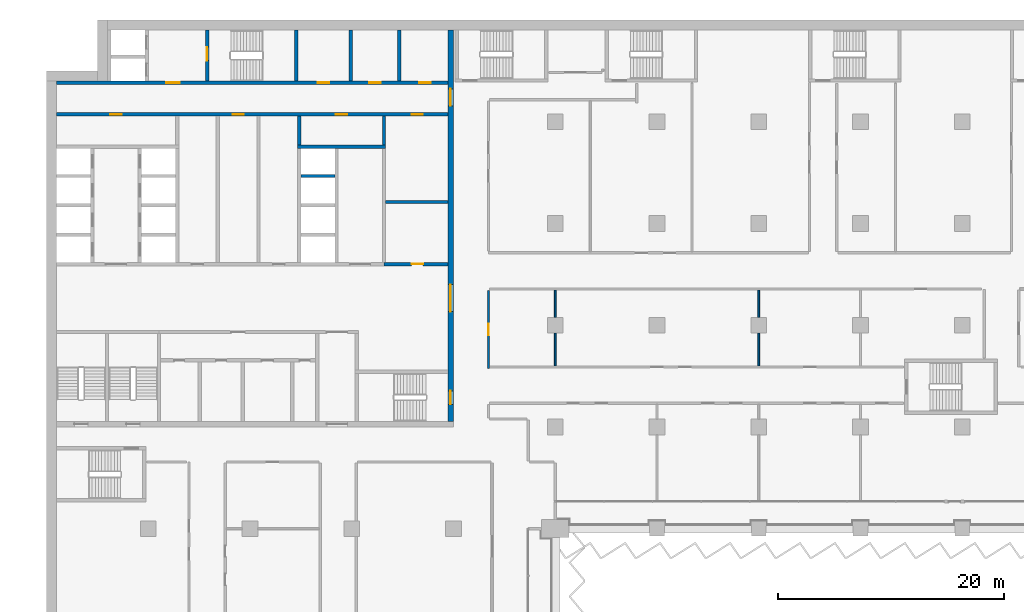
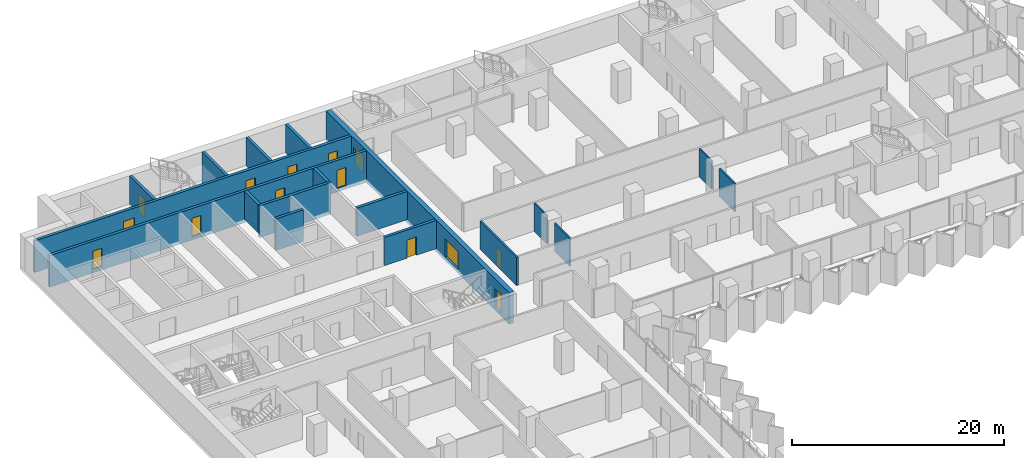
# One storey, part 15 of 28: 18 walls, 14 doors, 14 openings.
"""IFC4 building model written with IfcOpenShell, lengths in metres."""

from ifc_helpers import new_model, si_unit, direction, frame, frame_2d, origin, place, context, subcontext, project, spatial, rectangle, extrude, material, layer, layer_set, type_object, element, fill, save


model = new_model("IFC4")

# Units and contexts
model_context = context("Model", 3, precision=1e-05, world=origin(), true_north=direction((0.0, 1.0)))
body_context = subcontext(model_context, "Body", "Model", "MODEL_VIEW")
ifc_project = project(units=[si_unit("LENGTHUNIT", "METRE"), si_unit("AREAUNIT", "SQUARE_METRE"), si_unit("VOLUMEUNIT", "CUBIC_METRE"), si_unit("PLANEANGLEUNIT", "RADIAN"), si_unit("MASSUNIT", "GRAM", prefix="KILO")], contexts=[model_context])

# Site, building, storey
site_placement = place(None, origin())
site = spatial("IfcSite", under=ifc_project, at=site_placement, CompositionType="ELEMENT")
building_placement = place(site_placement, origin())
building = spatial("IfcBuilding", under=site, at=building_placement, Name="Hunhe Ridgeline Campus", CompositionType="ELEMENT")
storey_placement = place(building_placement, frame((0.0, 0.0, 76.5)))
storey = spatial("IfcBuildingStorey", under=building, at=storey_placement, Name="L18", CompositionType="ELEMENT", Elevation=76.5)

# Wall, opening, door
ifc_material_1 = material(Name="Masonry concrete blockwork", Category="masonry")
ifc_layer_1 = layer(ifc_material_1, 0.300048828125)
ifc_layer_set_1 = layer_set([ifc_layer_1], Name="Core room partition 300 concrete block")
wall_type_1 = type_object("IfcWallType", Name="Core room partition 300 concrete block", PredefinedType="PARTITIONING", material=ifc_layer_set_1)
wall_1_placement = place(storey_placement, frame((29.85009765625, 77.39990234375, 0.0), z_axis=(0.0, 0.0, 1.0), x_axis=(1.0, 0.0, 0.0)))
wall_1 = element("IfcWall", 1, at=wall_1_placement, inside=storey, type_object=wall_type_1, Name="L18 core partition 15", PredefinedType="PARTITIONING", context=body_context, shape_type="SweptSolid", body=[
    extrude(rectangle(XDim=5.64990234375, YDim=0.300048828125, at=frame_2d((2.824951171875, 0.0))), origin(), (0.0, 0.0, 1.0), 3.25),
])
opening_1_placement = place(wall_1_placement, frame((2.449951171875, 0.0, 0.0)))
opening_1 = element("IfcOpeningElement", 2, at=opening_1_placement, cuts=wall_1, Name="Opening CD32", PredefinedType="OPENING", context=body_context, shape_type="SweptSolid", body=[
    extrude(rectangle(XDim=1.0, YDim=2.10009765625, at=frame_2d((0.5, 1.050048828125))), frame((0.0, 0.14990234375, 0.0), z_axis=(0.0, -1.0, 0.0), x_axis=(1.0, 0.0, 0.0)), (0.0, 0.0, 1.0), 0.300048828125),
])
ifc_material_2 = material(Name="Solid core timber door leaf", Category="wood")
door_type_1 = type_object("IfcDoorType", Name="Timber door 1000x2100", OperationType="SINGLE_SWING_LEFT", PredefinedType="DOOR", material=ifc_material_2)
door_1_placement = place(opening_1_placement, origin())
door_1 = element("IfcDoor", 3, at=door_1_placement, inside=storey, type_object=door_type_1, Name="L18 door ES0", OperationType="SINGLE_SWING_LEFT", OverallHeight=2.10009765625, OverallWidth=1.0, PredefinedType="DOOR", context=body_context, shape_type="SweptSolid", body=[
    extrude(rectangle(XDim=1.0, YDim=2.10009765625, at=frame_2d((0.5, 1.050048828125))), frame((0.0, 0.02490234375, 0.0), z_axis=(0.0, -1.0, 0.0), x_axis=(1.0, 0.0, 0.0)), (0.0, 0.0, 1.0), 0.050048828125),
])
fill(opening_1, door_1)

# Walls
wall_2_placement = place(storey_placement, frame((30.0, 82.89990234375, 0.0), z_axis=(0.0, 0.0, 1.0), x_axis=(1.0, 0.0, 0.0)))
element("IfcWall", 4, at=wall_2_placement, inside=storey, type_object=wall_type_1, Name="L18 core partition 22", PredefinedType="PARTITIONING", context=body_context, shape_type="SweptSolid", body=[
    extrude(rectangle(XDim=5.5, YDim=0.300048828125, at=frame_2d((2.75, 0.0))), origin(), (0.0, 0.0, 1.0), 3.25),
])
wall_3_placement = place(storey_placement, frame((22.35009765625, 87.949951171875, 0.0), z_axis=(0.0, 0.0, 1.0), x_axis=(0.0, 1.0, 0.0)))
element("IfcWall", 5, at=wall_3_placement, inside=storey, type_object=wall_type_1, Name="L18 core partition 54", PredefinedType="PARTITIONING", context=body_context, shape_type="SweptSolid", body=[
    extrude(rectangle(XDim=2.550048828125, YDim=0.300048828125, at=frame_2d((1.27490234375, 0.0))), origin(), (0.0, 0.0, 1.0), 3.25),
])
wall_4_placement = place(storey_placement, frame((26.89990234375, 93.60009765625, 0.0), z_axis=(0.0, 0.0, 1.0), x_axis=(0.0, 1.0, 0.0)))
element("IfcWall", 6, at=wall_4_placement, inside=storey, type_object=wall_type_1, Name="L18 core partition 58", PredefinedType="PARTITIONING", context=body_context, shape_type="SweptSolid", body=[
    extrude(rectangle(XDim=4.5, YDim=0.300048828125, at=frame_2d((2.25, 0.0))), origin(), (0.0, 0.0, 1.0), 3.25),
])
wall_5_placement = place(storey_placement, frame((29.85009765625, 87.949951171875, 0.0), z_axis=(0.0, 0.0, 1.0), x_axis=(0.0, 1.0, 0.0)))
element("IfcWall", 7, at=wall_5_placement, inside=storey, type_object=wall_type_1, Name="L18 core partition 62", PredefinedType="PARTITIONING", context=body_context, shape_type="SweptSolid", body=[
    extrude(rectangle(XDim=2.550048828125, YDim=0.300048828125, at=frame_2d((1.27490234375, 0.0))), origin(), (0.0, 0.0, 1.0), 3.25),
])
wall_6_placement = place(storey_placement, frame((31.199951171875, 93.60009765625, 0.0), z_axis=(0.0, 0.0, 1.0), x_axis=(0.0, 1.0, 0.0)))
element("IfcWall", 8, at=wall_6_placement, inside=storey, type_object=wall_type_1, Name="L18 core partition 63", PredefinedType="PARTITIONING", context=body_context, shape_type="SweptSolid", body=[
    extrude(rectangle(XDim=4.5, YDim=0.300048828125, at=frame_2d((2.25, 0.0))), origin(), (0.0, 0.0, 1.0), 3.25),
])

# Wall, openings, doors
ifc_material_3 = material(Name="Concrete C80", Category="concrete")
ifc_layer_2 = layer(ifc_material_3, 0.5)
ifc_layer_set_2 = layer_set([ifc_layer_2], Name="Core wall 500 reinforced concrete C80")
wall_type_2 = type_object("IfcWallType", Name="Core wall 500 reinforced concrete C80", PredefinedType="SOLIDWALL", material=ifc_layer_set_2)
wall_7_placement = place(storey_placement, frame((35.75, 63.5, -0.39990234375), z_axis=(0.0, 0.0, 1.0), x_axis=(0.0, 1.0, 0.0)))
wall_7 = element("IfcWall", 9, at=wall_7_placement, inside=storey, type_object=wall_type_2, Name="L18 core wall 64", PredefinedType="SOLIDWALL", context=body_context, shape_type="SweptSolid", body=[
    extrude(rectangle(XDim=34.60009765625, YDim=0.5, at=frame_2d((17.300048828125, 0.0))), origin(), (0.0, 0.0, 1.0), 3.64990234375),
])
opening_2_placement = place(wall_7_placement, frame((9.699951171875, 0.0, 0.39990234375)))
opening_2 = element("IfcOpeningElement", 10, at=opening_2_placement, cuts=wall_7, Name="Opening CD4", PredefinedType="OPENING", context=body_context, shape_type="SweptSolid", body=[
    extrude(rectangle(XDim=2.39990234375, YDim=2.10009765625, at=frame_2d((1.199951171875, 1.050048828125))), frame((0.0, 0.25, 0.0), z_axis=(0.0, -1.0, 0.0), x_axis=(1.0, 0.0, 0.0)), (0.0, 0.0, 1.0), 0.5),
])
opening_3_placement = place(wall_7_placement, frame((27.89990234375, 0.0, 0.39990234375)))
opening_3 = element("IfcOpeningElement", 11, at=opening_3_placement, cuts=wall_7, Name="Opening CD5", PredefinedType="OPENING", context=body_context, shape_type="SweptSolid", body=[
    extrude(rectangle(XDim=1.5, YDim=2.10009765625, at=frame_2d((0.75, 1.050048828125))), frame((0.0, 0.25, 0.0), z_axis=(0.0, -1.0, 0.0), x_axis=(1.0, 0.0, 0.0)), (0.0, 0.0, 1.0), 0.5),
])
opening_4_placement = place(wall_7_placement, frame((1.5, 0.0, 0.39990234375)))
opening_4 = element("IfcOpeningElement", 12, at=opening_4_placement, cuts=wall_7, Name="Opening CD15", PredefinedType="OPENING", context=body_context, shape_type="SweptSolid", body=[
    extrude(rectangle(XDim=1.199951171875, YDim=2.10009765625, at=frame_2d((0.60009765625, 1.050048828125))), frame((0.0, 0.25, 0.0), z_axis=(0.0, -1.0, 0.0), x_axis=(1.0, 0.0, 0.0)), (0.0, 0.0, 1.0), 0.5),
])
ifc_material_4 = material(Name="Anodised aluminium and glass", Category="aluminium")
door_type_2 = type_object("IfcDoorType", Name="Glazed double door 2400x2100", OperationType="DOUBLE_DOOR_SINGLE_SWING", PredefinedType="DOOR", material=ifc_material_4)
door_2_placement = place(opening_2_placement, frame((2.39990234375, 0.0, 0.0), z_axis=(0.0, 0.0, 1.0), x_axis=(-1.0, 0.0, 0.0)))
door_2 = element("IfcDoor", 13, at=door_2_placement, inside=storey, type_object=door_type_2, Name="L18 door HALL-FLOOR", OperationType="DOUBLE_DOOR_SINGLE_SWING", OverallHeight=2.10009765625, OverallWidth=2.39990234375, PredefinedType="DOOR", context=body_context, shape_type="SweptSolid", body=[
    extrude(rectangle(XDim=2.39990234375, YDim=2.10009765625, at=frame_2d((1.199951171875, 1.050048828125))), frame((0.0, 0.02490234375, 0.0), z_axis=(0.0, -1.0, 0.0), x_axis=(1.0, 0.0, 0.0)), (0.0, 0.0, 1.0), 0.050048828125),
])
fill(opening_2, door_2)
ifc_material_5 = material(Name="Hollow metal fire door leaf")
door_type_3 = type_object("IfcDoorType", Name="Stair door 1200x2100 FD60", OperationType="SINGLE_SWING_LEFT", PredefinedType="DOOR", material=ifc_material_5)
door_3_placement = place(opening_4_placement, frame((1.199951171875, 0.0, 0.0), z_axis=(0.0, 0.0, 1.0), x_axis=(-1.0, 0.0, 0.0)))
door_3 = element("IfcDoor", 14, at=door_3_placement, inside=storey, type_object=door_type_3, Name="L18 door S2-FLOOR", OperationType="SINGLE_SWING_RIGHT", OverallHeight=2.10009765625, OverallWidth=1.199951171875, PredefinedType="DOOR", context=body_context, shape_type="SweptSolid", body=[
    extrude(rectangle(XDim=1.199951171875, YDim=2.10009765625, at=frame_2d((0.60009765625, 1.050048828125))), frame((0.0, 0.02490234375, 0.0), z_axis=(0.0, -1.0, 0.0), x_axis=(1.0, 0.0, 0.0)), (0.0, 0.0, 1.0), 0.050048828125),
])
fill(opening_4, door_3)
door_type_4 = type_object("IfcDoorType", Name="Timber door 1500x2100", OperationType="SINGLE_SWING_LEFT", PredefinedType="DOOR", material=ifc_material_2)
door_4_placement = place(opening_3_placement, frame((1.5, 0.0, 0.0), z_axis=(0.0, 0.0, 1.0), x_axis=(-1.0, 0.0, 0.0)))
door_4 = element("IfcDoor", 15, at=door_4_placement, inside=storey, type_object=door_type_4, Name="L18 door C1-FLOOR", OperationType="SINGLE_SWING_RIGHT", OverallHeight=2.10009765625, OverallWidth=1.5, PredefinedType="DOOR", context=body_context, shape_type="SweptSolid", body=[
    extrude(rectangle(XDim=1.5, YDim=2.10009765625, at=frame_2d((0.75, 1.050048828125))), frame((0.0, 0.02490234375, 0.0), z_axis=(0.0, -1.0, 0.0), x_axis=(1.0, 0.0, 0.0)), (0.0, 0.0, 1.0), 0.050048828125),
])
fill(opening_3, door_4)

# Wall, opening, door
ifc_material_6 = material(Name="Gypsum board partition")
ifc_layer_3 = layer(ifc_material_6, 0.199951171875)
ifc_layer_set_3 = layer_set([ifc_layer_3], Name="Corridor partition 200 gypsum board on steel studs")
wall_type_3 = type_object("IfcWallType", Name="Corridor partition 200 gypsum board on steel studs", PredefinedType="PARTITIONING", material=ifc_layer_set_3)
wall_8_placement = place(storey_placement, frame((39.10009765625, 75.08349609375, 0.0), z_axis=(0.0, 0.0, 1.0), x_axis=(0.0, -1.0, 0.0)))
wall_8 = element("IfcWall", 16, at=wall_8_placement, inside=storey, type_object=wall_type_3, Name="F-L18-wall-061", PredefinedType="PARTITIONING", context=body_context, shape_type="SweptSolid", body=[
    extrude(rectangle(XDim=6.92919921875, YDim=0.199951171875, at=frame_2d((3.464599609375, 0.0))), origin(), (0.0, 0.0, 1.0), 3.25),
])
opening_5_placement = place(wall_8_placement, frame((2.964599609375, 0.0, 0.0)))
opening_5 = element("IfcOpeningElement", 17, at=opening_5_placement, cuts=wall_8, Name="Opening RD1-032", PredefinedType="OPENING", context=body_context, shape_type="SweptSolid", body=[
    extrude(rectangle(XDim=1.0, YDim=2.10009765625, at=frame_2d((0.5, 1.050048828125))), frame((0.0, 0.10009765625, 0.0), z_axis=(0.0, -1.0, 0.0), x_axis=(1.0, 0.0, 0.0)), (0.0, 0.0, 1.0), 0.199951171875),
])
ifc_material_7 = material(Name="Timber door leaf", Category="wood")
door_type_5 = type_object("IfcDoorType", Name="Single fire door 1000x2100 timber FD60", OperationType="NOTDEFINED", PredefinedType="DOOR", material=ifc_material_7)
door_5_placement = place(opening_5_placement, origin())
door_5 = element("IfcDoor", 18, at=door_5_placement, inside=storey, type_object=door_type_5, Name="F-L18-door-032", OperationType="SINGLE_SWING_RIGHT", OverallHeight=2.10009765625, OverallWidth=1.0, PredefinedType="DOOR", context=body_context, shape_type="SweptSolid", body=[
    extrude(rectangle(XDim=1.0, YDim=2.10009765625, at=frame_2d((0.5, 1.050048828125))), frame((0.0, 0.02490234375, 0.0), z_axis=(0.0, -1.0, 0.0), x_axis=(1.0, 0.0, 0.0)), (0.0, 0.0, 1.0), 0.050048828125),
])
fill(opening_5, door_5)

# Wall, openings, doors
ifc_layer_4 = layer(ifc_material_3, 0.300048828125)
ifc_layer_set_4 = layer_set([ifc_layer_4], Name="Lobby wall 300 reinforced concrete C80")
wall_type_4 = type_object("IfcWallType", Name="Lobby wall 300 reinforced concrete C80", PredefinedType="SOLIDWALL", material=ifc_layer_set_4)
wall_9_placement = place(storey_placement, frame((0.89990234375, 90.64990234375, -0.39990234375), z_axis=(0.0, 0.0, 1.0), x_axis=(1.0, 0.0, 0.0)))
wall_9 = element("IfcWall", 19, at=wall_9_placement, inside=storey, type_object=wall_type_4, Name="L18 core wall 28", PredefinedType="SOLIDWALL", context=body_context, shape_type="SweptSolid", body=[
    extrude(rectangle(XDim=34.60009765625, YDim=0.300048828125, at=frame_2d((17.300048828125, 0.0))), origin(), (0.0, 0.0, 1.0), 3.64990234375),
])
opening_6_placement = place(wall_9_placement, frame((4.75, 0.0, 0.39990234375)))
opening_6 = element("IfcOpeningElement", 20, at=opening_6_placement, cuts=wall_9, Name="Opening CD26", PredefinedType="OPENING", context=body_context, shape_type="SweptSolid", body=[
    extrude(rectangle(XDim=1.0, YDim=2.10009765625, at=frame_2d((0.5, 1.050048828125))), frame((0.0, 0.14990234375, 0.0), z_axis=(0.0, -1.0, 0.0), x_axis=(1.0, 0.0, 0.0)), (0.0, 0.0, 1.0), 0.300048828125),
])
opening_7_placement = place(wall_9_placement, frame((24.699951171875, 0.0, 0.39990234375)))
opening_7 = element("IfcOpeningElement", 21, at=opening_7_placement, cuts=wall_9, Name="Opening CD27", PredefinedType="OPENING", context=body_context, shape_type="SweptSolid", body=[
    extrude(rectangle(XDim=1.0, YDim=2.10009765625, at=frame_2d((0.5, 1.050048828125))), frame((0.0, 0.14990234375, 0.0), z_axis=(0.0, -1.0, 0.0), x_axis=(1.0, 0.0, 0.0)), (0.0, 0.0, 1.0), 0.300048828125),
])
opening_8_placement = place(wall_9_placement, frame((15.550048828125, 0.0, 0.39990234375)))
opening_8 = element("IfcOpeningElement", 22, at=opening_8_placement, cuts=wall_9, Name="Opening CD29", PredefinedType="OPENING", context=body_context, shape_type="SweptSolid", body=[
    extrude(rectangle(XDim=1.0, YDim=2.10009765625, at=frame_2d((0.5, 1.050048828125))), frame((0.0, 0.14990234375, 0.0), z_axis=(0.0, -1.0, 0.0), x_axis=(1.0, 0.0, 0.0)), (0.0, 0.0, 1.0), 0.300048828125),
])
opening_9_placement = place(wall_9_placement, frame((31.39990234375, 0.0, 0.39990234375)))
opening_9 = element("IfcOpeningElement", 23, at=opening_9_placement, cuts=wall_9, Name="Opening CD33", PredefinedType="OPENING", context=body_context, shape_type="SweptSolid", body=[
    extrude(rectangle(XDim=1.0, YDim=2.10009765625, at=frame_2d((0.5, 1.050048828125))), frame((0.0, 0.14990234375, 0.0), z_axis=(0.0, -1.0, 0.0), x_axis=(1.0, 0.0, 0.0)), (0.0, 0.0, 1.0), 0.300048828125),
])
door_6_placement = place(opening_6_placement, frame((1.0, 0.0, 0.0), z_axis=(0.0, 0.0, 1.0), x_axis=(-1.0, 0.0, 0.0)))
door_6 = element("IfcDoor", 24, at=door_6_placement, inside=storey, type_object=door_type_1, Name="L18 door NR-0", OperationType="SINGLE_SWING_RIGHT", OverallHeight=2.10009765625, OverallWidth=1.0, PredefinedType="DOOR", context=body_context, shape_type="SweptSolid", body=[
    extrude(rectangle(XDim=1.0, YDim=2.10009765625, at=frame_2d((0.5, 1.050048828125))), frame((0.0, 0.02490234375, 0.0), z_axis=(0.0, -1.0, 0.0), x_axis=(1.0, 0.0, 0.0)), (0.0, 0.0, 1.0), 0.050048828125),
])
fill(opening_6, door_6)
door_7_placement = place(opening_7_placement, frame((1.0, 0.0, 0.0), z_axis=(0.0, 0.0, 1.0), x_axis=(-1.0, 0.0, 0.0)))
door_7 = element("IfcDoor", 25, at=door_7_placement, inside=storey, type_object=door_type_1, Name="L18 door NR-1", OperationType="SINGLE_SWING_LEFT", OverallHeight=2.10009765625, OverallWidth=1.0, PredefinedType="DOOR", context=body_context, shape_type="SweptSolid", body=[
    extrude(rectangle(XDim=1.0, YDim=2.10009765625, at=frame_2d((0.5, 1.050048828125))), frame((0.0, 0.02490234375, 0.0), z_axis=(0.0, -1.0, 0.0), x_axis=(1.0, 0.0, 0.0)), (0.0, 0.0, 1.0), 0.050048828125),
])
fill(opening_7, door_7)
door_8_placement = place(opening_8_placement, frame((1.0, 0.0, 0.0), z_axis=(0.0, 0.0, 1.0), x_axis=(-1.0, 0.0, 0.0)))
door_8 = element("IfcDoor", 26, at=door_8_placement, inside=storey, type_object=door_type_1, Name="L18 door VD-HR1", OperationType="SINGLE_SWING_LEFT", OverallHeight=2.10009765625, OverallWidth=1.0, PredefinedType="DOOR", context=body_context, shape_type="SweptSolid", body=[
    extrude(rectangle(XDim=1.0, YDim=2.10009765625, at=frame_2d((0.5, 1.050048828125))), frame((0.0, 0.02490234375, 0.0), z_axis=(0.0, -1.0, 0.0), x_axis=(1.0, 0.0, 0.0)), (0.0, 0.0, 1.0), 0.050048828125),
])
fill(opening_8, door_8)
door_9_placement = place(opening_9_placement, frame((1.0, 0.0, 0.0), z_axis=(0.0, 0.0, 1.0), x_axis=(-1.0, 0.0, 0.0)))
door_9 = element("IfcDoor", 27, at=door_9_placement, inside=storey, type_object=door_type_1, Name="L18 door ES1", OperationType="SINGLE_SWING_LEFT", OverallHeight=2.10009765625, OverallWidth=1.0, PredefinedType="DOOR", context=body_context, shape_type="SweptSolid", body=[
    extrude(rectangle(XDim=1.0, YDim=2.10009765625, at=frame_2d((0.5, 1.050048828125))), frame((0.0, 0.02490234375, 0.0), z_axis=(0.0, -1.0, 0.0), x_axis=(1.0, 0.0, 0.0)), (0.0, 0.0, 1.0), 0.050048828125),
])
fill(opening_9, door_9)

# Walls
ifc_layer_5 = layer(ifc_material_6, 0.14990234375)
ifc_layer_set_5 = layer_set([ifc_layer_5], Name="Room partition 150 gypsum board on steel studs")
wall_type_5 = type_object("IfcWallType", Name="Room partition 150 gypsum board on steel studs", PredefinedType="PARTITIONING", material=ifc_layer_set_5)
wall_10_placement = place(storey_placement, frame((45.0, 71.300048828125, 0.0), z_axis=(0.0, 0.0, 1.0), x_axis=(0.0, -1.0, 0.0)))
element("IfcWall", 28, at=wall_10_placement, inside=storey, type_object=wall_type_5, Name="F-L18-wall-066", PredefinedType="PARTITIONING", context=body_context, shape_type="SweptSolid", body=[
    extrude(rectangle(XDim=2.900146484375, YDim=0.14990234375, at=frame_2d((1.4501953125, 0.0))), origin(), (0.0, 0.0, 1.0), 3.25),
])
wall_11_placement = place(storey_placement, frame((45.0, 75.10009765625, 0.0), z_axis=(0.0, 0.0, 1.0), x_axis=(0.0, -1.0, 0.0)))
element("IfcWall", 29, at=wall_11_placement, inside=storey, type_object=wall_type_5, Name="F-L18-wall-067", PredefinedType="PARTITIONING", context=body_context, shape_type="SweptSolid", body=[
    extrude(rectangle(XDim=2.400146484375, YDim=0.14990234375, at=frame_2d((1.2001953125, 0.0))), origin(), (0.0, 0.0, 1.0), 3.25),
])
wall_12_placement = place(storey_placement, frame((63.0, 71.300048828125, 0.0), z_axis=(0.0, 0.0, 1.0), x_axis=(0.0, -1.0, 0.0)))
element("IfcWall", 30, at=wall_12_placement, inside=storey, type_object=wall_type_5, Name="F-L18-wall-076", PredefinedType="PARTITIONING", context=body_context, shape_type="SweptSolid", body=[
    extrude(rectangle(XDim=2.900146484375, YDim=0.14990234375, at=frame_2d((1.4501953125, 0.0))), origin(), (0.0, 0.0, 1.0), 3.25),
])
wall_13_placement = place(storey_placement, frame((63.0, 75.10009765625, 0.0), z_axis=(0.0, 0.0, 1.0), x_axis=(0.0, -1.0, 0.0)))
element("IfcWall", 31, at=wall_13_placement, inside=storey, type_object=wall_type_5, Name="F-L18-wall-077", PredefinedType="PARTITIONING", context=body_context, shape_type="SweptSolid", body=[
    extrude(rectangle(XDim=2.400146484375, YDim=0.14990234375, at=frame_2d((1.2001953125, 0.0))), origin(), (0.0, 0.0, 1.0), 3.25),
])
ifc_layer_6 = layer(ifc_material_3, 0.300048828125)
ifc_layer_set_6 = layer_set([ifc_layer_6], Name="Shaft wall 300 reinforced concrete C80")
wall_type_6 = type_object("IfcWallType", Name="Shaft wall 300 reinforced concrete C80", PredefinedType="SOLIDWALL", material=ifc_layer_set_6)
wall_14_placement = place(storey_placement, frame((22.5, 85.199951171875, -0.39990234375), z_axis=(0.0, 0.0, 1.0), x_axis=(1.0, 0.0, 0.0)))
element("IfcWall", 32, at=wall_14_placement, inside=storey, type_object=wall_type_6, Name="L18 core wall 25", PredefinedType="SOLIDWALL", context=body_context, shape_type="SweptSolid", body=[
    extrude(rectangle(XDim=3.0, YDim=0.300048828125, at=frame_2d((1.5, 0.0))), origin(), (0.0, 0.0, 1.0), 3.64990234375),
])
wall_15_placement = place(storey_placement, frame((22.199951171875, 87.800048828125, -0.39990234375), z_axis=(0.0, 0.0, 1.0), x_axis=(1.0, 0.0, 0.0)))
element("IfcWall", 33, at=wall_15_placement, inside=storey, type_object=wall_type_6, Name="L18 core wall 27", PredefinedType="SOLIDWALL", context=body_context, shape_type="SweptSolid", body=[
    extrude(rectangle(XDim=7.800048828125, YDim=0.300048828125, at=frame_2d((3.89990234375, 0.0))), origin(), (0.0, 0.0, 1.0), 3.64990234375),
])

# Wall, openings, doors
wall_16_placement = place(storey_placement, frame((0.89990234375, 93.449951171875, -0.39990234375), z_axis=(0.0, 0.0, 1.0), x_axis=(1.0, 0.0, 0.0)))
wall_16 = element("IfcWall", 34, at=wall_16_placement, inside=storey, type_object=wall_type_6, Name="L18 core wall 29", PredefinedType="SOLIDWALL", context=body_context, shape_type="SweptSolid", body=[
    extrude(rectangle(XDim=34.60009765625, YDim=0.300048828125, at=frame_2d((17.300048828125, 0.0))), origin(), (0.0, 0.0, 1.0), 3.64990234375),
])
opening_10_placement = place(wall_16_placement, frame((9.699951171875, 0.0, 0.39990234375)))
opening_10 = element("IfcOpeningElement", 35, at=opening_10_placement, cuts=wall_16, Name="Opening CD3", PredefinedType="OPENING", context=body_context, shape_type="SweptSolid", body=[
    extrude(rectangle(XDim=1.199951171875, YDim=2.10009765625, at=frame_2d((0.60009765625, 1.050048828125))), frame((0.0, 0.14990234375, 0.0), z_axis=(0.0, -1.0, 0.0), x_axis=(1.0, 0.0, 0.0)), (0.0, 0.0, 1.0), 0.300048828125),
])
opening_11_placement = place(wall_16_placement, frame((23.10009765625, 0.0, 0.39990234375)))
opening_11 = element("IfcOpeningElement", 36, at=opening_11_placement, cuts=wall_16, Name="Opening CD34", PredefinedType="OPENING", context=body_context, shape_type="SweptSolid", body=[
    extrude(rectangle(XDim=1.0, YDim=2.10009765625, at=frame_2d((0.5, 1.050048828125))), frame((0.0, 0.14990234375, 0.0), z_axis=(0.0, -1.0, 0.0), x_axis=(1.0, 0.0, 0.0)), (0.0, 0.0, 1.0), 0.300048828125),
])
opening_12_placement = place(wall_16_placement, frame((27.64990234375, 0.0, 0.39990234375)))
opening_12 = element("IfcOpeningElement", 37, at=opening_12_placement, cuts=wall_16, Name="Opening CD35", PredefinedType="OPENING", context=body_context, shape_type="SweptSolid", body=[
    extrude(rectangle(XDim=1.0, YDim=2.10009765625, at=frame_2d((0.5, 1.050048828125))), frame((0.0, 0.14990234375, 0.0), z_axis=(0.0, -1.0, 0.0), x_axis=(1.0, 0.0, 0.0)), (0.0, 0.0, 1.0), 0.300048828125),
])
opening_13_placement = place(wall_16_placement, frame((32.074951171875, 0.0, 0.39990234375)))
opening_13 = element("IfcOpeningElement", 38, at=opening_13_placement, cuts=wall_16, Name="Opening CD36", PredefinedType="OPENING", context=body_context, shape_type="SweptSolid", body=[
    extrude(rectangle(XDim=1.0, YDim=2.10009765625, at=frame_2d((0.5, 1.050048828125))), frame((0.0, 0.14990234375, 0.0), z_axis=(0.0, -1.0, 0.0), x_axis=(1.0, 0.0, 0.0)), (0.0, 0.0, 1.0), 0.300048828125),
])
door_type_6 = type_object("IfcDoorType", Name="Lobby door 1200x2100 FD60", OperationType="SINGLE_SWING_LEFT", PredefinedType="DOOR", material=ifc_material_5)
door_10_placement = place(opening_10_placement, frame((1.199951171875, 0.0, 0.0), z_axis=(0.0, 0.0, 1.0), x_axis=(-1.0, 0.0, 0.0)))
door_10 = element("IfcDoor", 39, at=door_10_placement, inside=storey, type_object=door_type_6, Name="L18 door FF-C1", OperationType="SINGLE_SWING_LEFT", OverallHeight=2.10009765625, OverallWidth=1.199951171875, PredefinedType="DOOR", context=body_context, shape_type="SweptSolid", body=[
    extrude(rectangle(XDim=1.199951171875, YDim=2.10009765625, at=frame_2d((0.60009765625, 1.050048828125))), frame((0.0, 0.02490234375, 0.0), z_axis=(0.0, -1.0, 0.0), x_axis=(1.0, 0.0, 0.0)), (0.0, 0.0, 1.0), 0.050048828125),
])
fill(opening_10, door_10)
door_11_placement = place(opening_11_placement, origin())
door_11 = element("IfcDoor", 40, at=door_11_placement, inside=storey, type_object=door_type_1, Name="L18 door NB0", OperationType="SINGLE_SWING_LEFT", OverallHeight=2.10009765625, OverallWidth=1.0, PredefinedType="DOOR", context=body_context, shape_type="SweptSolid", body=[
    extrude(rectangle(XDim=1.0, YDim=2.10009765625, at=frame_2d((0.5, 1.050048828125))), frame((0.0, 0.02490234375, 0.0), z_axis=(0.0, -1.0, 0.0), x_axis=(1.0, 0.0, 0.0)), (0.0, 0.0, 1.0), 0.050048828125),
])
fill(opening_11, door_11)
door_12_placement = place(opening_12_placement, origin())
door_12 = element("IfcDoor", 41, at=door_12_placement, inside=storey, type_object=door_type_1, Name="L18 door NB1", OperationType="SINGLE_SWING_RIGHT", OverallHeight=2.10009765625, OverallWidth=1.0, PredefinedType="DOOR", context=body_context, shape_type="SweptSolid", body=[
    extrude(rectangle(XDim=1.0, YDim=2.10009765625, at=frame_2d((0.5, 1.050048828125))), frame((0.0, 0.02490234375, 0.0), z_axis=(0.0, -1.0, 0.0), x_axis=(1.0, 0.0, 0.0)), (0.0, 0.0, 1.0), 0.050048828125),
])
fill(opening_12, door_12)
door_13_placement = place(opening_13_placement, origin())
door_13 = element("IfcDoor", 42, at=door_13_placement, inside=storey, type_object=door_type_1, Name="L18 door NB2", OperationType="SINGLE_SWING_LEFT", OverallHeight=2.10009765625, OverallWidth=1.0, PredefinedType="DOOR", context=body_context, shape_type="SweptSolid", body=[
    extrude(rectangle(XDim=1.0, YDim=2.10009765625, at=frame_2d((0.5, 1.050048828125))), frame((0.0, 0.02490234375, 0.0), z_axis=(0.0, -1.0, 0.0), x_axis=(1.0, 0.0, 0.0)), (0.0, 0.0, 1.0), 0.050048828125),
])
fill(opening_13, door_13)

# Wall, opening, door
ifc_layer_7 = layer(ifc_material_3, 0.300048828125)
ifc_layer_set_7 = layer_set([ifc_layer_7], Name="Stair wall 300 reinforced concrete C80")
wall_type_7 = type_object("IfcWallType", Name="Stair wall 300 reinforced concrete C80", PredefinedType="SOLIDWALL", material=ifc_layer_set_7)
wall_17_placement = place(storey_placement, frame((14.199951171875, 93.60009765625, -0.39990234375), z_axis=(0.0, 0.0, 1.0), x_axis=(0.0, 1.0, 0.0)))
wall_17 = element("IfcWall", 43, at=wall_17_placement, inside=storey, type_object=wall_type_7, Name="L18 core wall 46", PredefinedType="SOLIDWALL", context=body_context, shape_type="SweptSolid", body=[
    extrude(rectangle(XDim=4.5, YDim=0.300048828125, at=frame_2d((2.25, 0.0))), origin(), (0.0, 0.0, 1.0), 3.64990234375),
])
opening_14_placement = place(wall_17_placement, frame((1.800048828125, 0.0, 0.39990234375)))
opening_14 = element("IfcOpeningElement", 44, at=opening_14_placement, cuts=wall_17, Name="Opening CD16", PredefinedType="OPENING", context=body_context, shape_type="SweptSolid", body=[
    extrude(rectangle(XDim=1.199951171875, YDim=2.10009765625, at=frame_2d((0.60009765625, 1.050048828125))), frame((0.0, 0.14990234375, 0.0), z_axis=(0.0, -1.0, 0.0), x_axis=(1.0, 0.0, 0.0)), (0.0, 0.0, 1.0), 0.300048828125),
])
door_14_placement = place(opening_14_placement, origin())
door_14 = element("IfcDoor", 45, at=door_14_placement, inside=storey, type_object=door_type_3, Name="L18 door S1-FF", OperationType="SINGLE_SWING_LEFT", OverallHeight=2.10009765625, OverallWidth=1.199951171875, PredefinedType="DOOR", context=body_context, shape_type="SweptSolid", body=[
    extrude(rectangle(XDim=1.199951171875, YDim=2.10009765625, at=frame_2d((0.60009765625, 1.050048828125))), frame((0.0, 0.02490234375, 0.0), z_axis=(0.0, -1.0, 0.0), x_axis=(1.0, 0.0, 0.0)), (0.0, 0.0, 1.0), 0.050048828125),
])
fill(opening_14, door_14)

# Wall
wall_18_placement = place(storey_placement, frame((22.10009765625, 93.60009765625, -0.39990234375), z_axis=(0.0, 0.0, 1.0), x_axis=(0.0, 1.0, 0.0)))
element("IfcWall", 46, at=wall_18_placement, inside=storey, type_object=wall_type_7, Name="L18 core wall 52", PredefinedType="SOLIDWALL", context=body_context, shape_type="SweptSolid", body=[
    extrude(rectangle(XDim=4.5, YDim=0.300048828125, at=frame_2d((2.25, 0.0))), origin(), (0.0, 0.0, 1.0), 3.64990234375),
])

save(model, "model.ifc")
